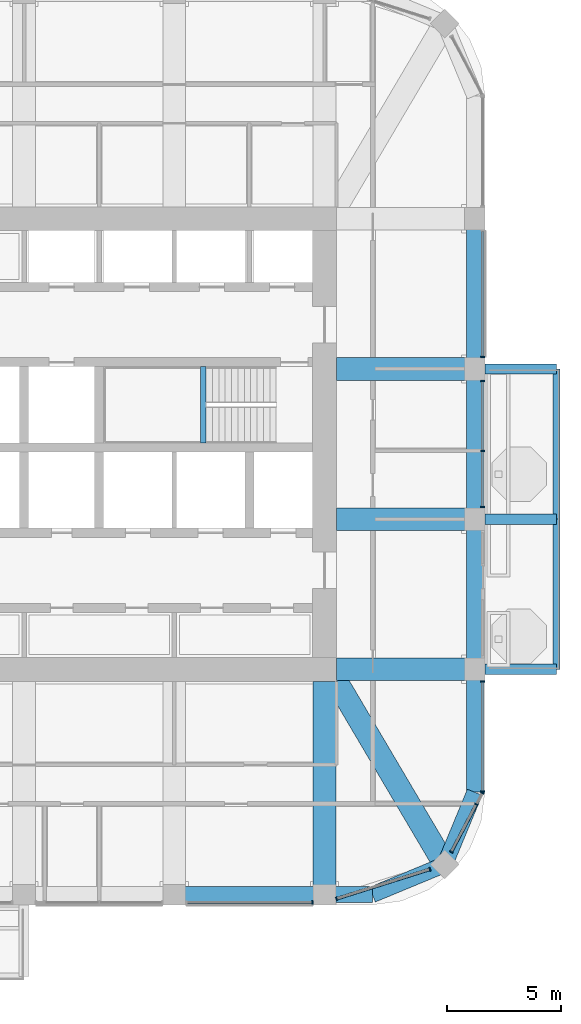
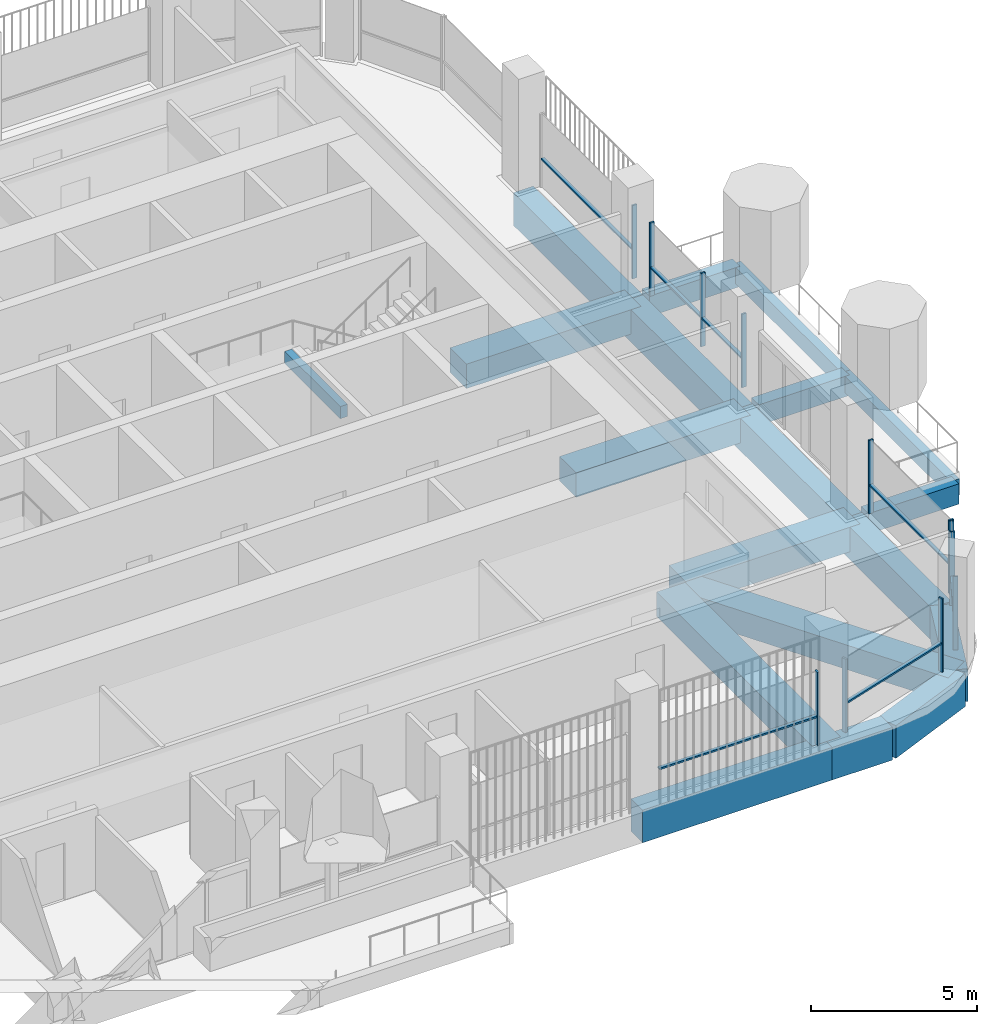
# One storey, part 4 of 19: 19 beams, 19 members, 6 elements without a shape of their own.
"""IFC4 building model written with IfcOpenShell, lengths in metres."""

from ifc_helpers import new_model, si_unit, direction, frame, origin, origin_2d, place, context, subcontext, project, spatial, rectangle, extrude, material, material_profile, profile_set, type_object, element, aggregate, save


model = new_model("IFC4")

# Units and contexts
model_context = context("Model", 3, precision=1e-05, world=origin(), true_north=direction((0.0, 1.0)))
body_context = subcontext(model_context, "Body", "Model", "MODEL_VIEW")
ifc_project = project(units=[si_unit("LENGTHUNIT", "METRE"), si_unit("AREAUNIT", "SQUARE_METRE"), si_unit("VOLUMEUNIT", "CUBIC_METRE"), si_unit("PLANEANGLEUNIT", "RADIAN"), si_unit("MASSUNIT", "GRAM", prefix="KILO")], contexts=[model_context])

# Site, building, storey
site_placement = place(None, origin())
site = spatial("IfcSite", under=ifc_project, at=site_placement, CompositionType="ELEMENT")
building_placement = place(site_placement, origin())
building = spatial("IfcBuilding", under=site, at=building_placement, Name="Cobogo Forest Laboratory Tower", CompositionType="ELEMENT")
storey_placement = place(building_placement, frame((0.0, 0.0, 262.800048828125)))
storey = spatial("IfcBuildingStorey", under=building, at=storey_placement, Name="L60", CompositionType="ELEMENT", Elevation=262.800048828125)

# Beams
ifc_material_1 = material(Name="Concrete HA-40 (C40/50)", Category="concrete")
ifc_material_profile_1 = material_profile(ifc_material_1, rectangle(XDim=0.449951171875, YDim=0.75, at=origin_2d()), Name="RC 450x750")
ifc_profile_set_1 = profile_set([ifc_material_profile_1], Name="Concrete HA-40 (C40/50)")
beam_type_1 = type_object("IfcBeamType", Name="Balcony cantilever beam 450x750", PredefinedType="BEAM", material=ifc_profile_set_1)
for number, where, z_axis, x_axis, name in (
    (1, (46.64990234375, 13.199951171875, -0.625), (1.0, 0.0, 0.0), (0.0, 1.0, 0.0), "CB1 BAL-E1-C1 L60"),
    (2, (46.64990234375, 19.800048828125, -0.625), (1.0, 0.0, 0.0), (0.0, 1.0, 0.0), "CB1 BAL-E1-C2 L60"),
    (3, (46.64990234375, 26.39990234375, -0.625), (1.0, 0.0, 0.0), (0.0, 1.0, 0.0), "CB1 BAL-E1-C3 L60"),
):
    element("IfcBeam", number, at=place(storey_placement, frame(where, z_axis=z_axis, x_axis=x_axis)), inside=storey, type_object=beam_type_1, Name=name, PredefinedType="BEAM", context=body_context, shape_type="SweptSolid", body=[
        extrude(rectangle(XDim=0.449951171875, YDim=0.75, at=origin_2d()), origin(), (0.0, 0.0, 1.0), 3.150146484375),
    ])
ifc_material_profile_2 = material_profile(ifc_material_1, rectangle(XDim=0.300048828125, YDim=0.60009765625, at=origin_2d()), Name="RC 300x600")
ifc_profile_set_2 = profile_set([ifc_material_profile_2], Name="Concrete HA-40 (C40/50)")
beam_type_2 = type_object("IfcBeamType", Name="Balcony edge beam 300x600", PredefinedType="BEAM", material=ifc_profile_set_2)
beam_1_placement = place(storey_placement, frame((49.800048828125, 13.199951171875, -0.550048828125), z_axis=(0.0, 1.0, 0.0), x_axis=(-1.0, 0.0, 0.0)))
element("IfcBeam", 4, at=beam_1_placement, inside=storey, type_object=beam_type_2, Name="BB1 BAL-E1-T1 L60", PredefinedType="BEAM", context=body_context, shape_type="SweptSolid", body=[
    extrude(rectangle(XDim=0.300048828125, YDim=0.60009765625, at=origin_2d()), origin(), (0.0, 0.0, 1.0), 6.60009765625),
])
beam_2_placement = place(storey_placement, frame((49.800048828125, 19.800048828125, -0.550048828125), z_axis=(0.0, 1.0, 0.0), x_axis=(-1.0, 0.0, 0.0)))
element("IfcBeam", 5, at=beam_2_placement, inside=storey, type_object=beam_type_2, Name="BB1 BAL-E1-T2 L60", PredefinedType="BEAM", context=body_context, shape_type="SweptSolid", body=[
    extrude(rectangle(XDim=0.300048828125, YDim=0.60009765625, at=origin_2d()), origin(), (0.0, 0.0, 1.0), 6.599853515625),
])
ifc_material_profile_3 = material_profile(ifc_material_1, rectangle(XDim=0.25, YDim=0.449951171875, at=origin_2d()), Name="RC 250x450")
ifc_profile_set_3 = profile_set([ifc_material_profile_3], Name="Concrete HA-40 (C40/50)")
beam_type_3 = type_object("IfcBeamType", Name="LB1 landing beam 250x450", PredefinedType="BEAM", material=ifc_profile_set_3)
beam_3_placement = place(storey_placement, frame((34.27001953125, 23.14990234375, 1.675048828125), z_axis=(0.0, 1.0, 0.0), x_axis=(-1.0, 0.0, 0.0)))
element("IfcBeam", 6, at=beam_3_placement, inside=storey, type_object=beam_type_3, Name="Landing beam ST2 L60", PredefinedType="BEAM", context=body_context, shape_type="SweptSolid", body=[
    extrude(rectangle(XDim=0.25, YDim=0.449951171875, at=origin_2d()), origin(), (0.0, 0.0, 1.0), 3.35009765625),
])

# Curtain wall, member
ifc_material_2 = material(Name="Aluminium curtain wall", Category="aluminium")
curtain_wall_type = type_object("IfcCurtainWallType", Name="CW-2 unitised curtain wall, solar control glazing, laboratory floors zones C and D", PredefinedType="USERDEFINED", material=ifc_material_2)
curtain_wall_1_placement = place(storey_placement, origin())
curtain_wall_1 = element("IfcCurtainWall", 7, at=curtain_wall_1_placement, inside=storey, type_object=curtain_wall_type, Name="Curtain wall 04 L60", ObjectType="UNITISED CURTAIN WALL", PredefinedType="USERDEFINED")
ifc_material_3 = material(Name="Aluminium mullion", Category="aluminium")
ifc_material_profile_4 = material_profile(ifc_material_3, rectangle(XDim=0.06005859375, YDim=0.159912109375, at=origin_2d()), Name="AL 60x160")
ifc_profile_set_4 = profile_set([ifc_material_profile_4], Name="Aluminium mullion")
member_type_1 = type_object("IfcMemberType", Name="MU-1 aluminium mullion 60x160", PredefinedType="MULLION", material=ifc_profile_set_4)
member_1_placement = place(storey_placement, frame((39.070068359375, 2.949951171875, 0.0), z_axis=(0.0, 0.0, 1.0), x_axis=(1.0, 0.0, 0.0)))
member_1 = element("IfcMember", 8, at=member_1_placement, type_object=member_type_1, Name="CW-2 mullion 2", PredefinedType="MULLION", context=body_context, shape_type="SweptSolid", body=[
    extrude(rectangle(XDim=0.06005859375, YDim=0.159912109375, at=origin_2d()), origin(), (0.0, 0.0, 1.0), 2.699951171875),
])

# Curtain wall, members
curtain_wall_2_placement = place(storey_placement, origin())
curtain_wall_2 = element("IfcCurtainWall", 9, at=curtain_wall_2_placement, inside=storey, type_object=curtain_wall_type, Name="Curtain wall 05 L60", ObjectType="UNITISED CURTAIN WALL", PredefinedType="USERDEFINED")
member_2_placement = place(storey_placement, frame((40.128662109375, 3.116943359375, 0.0), z_axis=(0.0, 0.0, 1.0), x_axis=(0.953581379409, 0.301135439371, 0.0)))
member_2 = element("IfcMember", 10, at=member_2_placement, type_object=member_type_1, Name="CW-2 mullion 1", PredefinedType="MULLION", context=body_context, shape_type="SweptSolid", body=[
    extrude(rectangle(XDim=0.06005859375, YDim=0.159912109375, at=origin_2d()), origin(), (0.0, 0.0, 1.0), 2.699951171875),
])
member_3_placement = place(storey_placement, frame((44.22998046875, 4.412109375, 0.0), z_axis=(0.0, 0.0, 1.0), x_axis=(0.953581379409, 0.301135439371, 0.0)))
member_3 = element("IfcMember", 11, at=member_3_placement, type_object=member_type_1, Name="CW-2 mullion 2", PredefinedType="MULLION", context=body_context, shape_type="SweptSolid", body=[
    extrude(rectangle(XDim=0.06005859375, YDim=0.159912109375, at=origin_2d()), origin(), (0.0, 0.0, 1.0), 2.699951171875),
])

curtain_wall_3_placement = place(storey_placement, origin())
curtain_wall_3 = element("IfcCurtainWall", 12, at=curtain_wall_3_placement, inside=storey, type_object=curtain_wall_type, Name="Curtain wall 06 L60", ObjectType="UNITISED CURTAIN WALL", PredefinedType="USERDEFINED")
member_4_placement = place(storey_placement, frame((45.177978515625, 5.1826171875, 0.0), z_axis=(0.0, 0.0, 1.0), x_axis=(0.464283778337, 0.885686498245, 0.0)))
member_4 = element("IfcMember", 13, at=member_4_placement, type_object=member_type_1, Name="CW-2 mullion 1", PredefinedType="MULLION", context=body_context, shape_type="SweptSolid", body=[
    extrude(rectangle(XDim=0.06005859375, YDim=0.159912109375, at=origin_2d()), origin(), (0.0, 0.0, 1.0), 2.699951171875),
])
member_5_placement = place(storey_placement, frame((46.268310546875, 7.262939453125, 0.0), z_axis=(0.0, 0.0, 1.0), x_axis=(0.464283778337, 0.885686498245, 0.0)))
member_5 = element("IfcMember", 14, at=member_5_placement, type_object=member_type_1, Name="CW-2 mullion 2", PredefinedType="MULLION", context=body_context, shape_type="SweptSolid", body=[
    extrude(rectangle(XDim=0.06005859375, YDim=0.159912109375, at=origin_2d()), origin(), (0.0, 0.0, 1.0), 2.699951171875),
])
member_6_placement = place(storey_placement, frame((46.5361328125, 7.7734375, 0.0), z_axis=(0.0, 0.0, 1.0), x_axis=(0.464283778337, 0.885686498245, 0.0)))
member_6 = element("IfcMember", 15, at=member_6_placement, type_object=member_type_1, Name="CW-2 mullion 3", PredefinedType="MULLION", context=body_context, shape_type="SweptSolid", body=[
    extrude(rectangle(XDim=0.06005859375, YDim=0.159912109375, at=origin_2d()), origin(), (0.0, 0.0, 1.0), 2.699951171875),
])

curtain_wall_4_placement = place(storey_placement, origin())
curtain_wall_4 = element("IfcCurtainWall", 16, at=curtain_wall_4_placement, inside=storey, type_object=curtain_wall_type, Name="Curtain wall 07 L60", ObjectType="UNITISED CURTAIN WALL", PredefinedType="USERDEFINED")
member_7_placement = place(storey_placement, frame((46.550048828125, 7.830078125, 0.0), z_axis=(0.0, 0.0, 1.0), x_axis=(0.0, 1.0, 0.0)))
member_7 = element("IfcMember", 17, at=member_7_placement, type_object=member_type_1, Name="CW-2 mullion 1", PredefinedType="MULLION", context=body_context, shape_type="SweptSolid", body=[
    extrude(rectangle(XDim=0.06005859375, YDim=0.159912109375, at=origin_2d()), origin(), (0.0, 0.0, 1.0), 2.699951171875),
])
member_8_placement = place(storey_placement, frame((46.550048828125, 12.669921875, 0.0), z_axis=(0.0, 0.0, 1.0), x_axis=(0.0, 1.0, 0.0)))
member_8 = element("IfcMember", 18, at=member_8_placement, type_object=member_type_1, Name="CW-2 mullion 2", PredefinedType="MULLION", context=body_context, shape_type="SweptSolid", body=[
    extrude(rectangle(XDim=0.06005859375, YDim=0.159912109375, at=origin_2d()), origin(), (0.0, 0.0, 1.0), 2.699951171875),
])

curtain_wall_5_placement = place(storey_placement, origin())
curtain_wall_5 = element("IfcCurtainWall", 19, at=curtain_wall_5_placement, inside=storey, type_object=curtain_wall_type, Name="Curtain wall 09 L60", ObjectType="UNITISED CURTAIN WALL", PredefinedType="USERDEFINED")
member_9_placement = place(storey_placement, frame((46.550048828125, 20.330078125, 0.0), z_axis=(0.0, 0.0, 1.0), x_axis=(0.0, 1.0, 0.0)))
member_9 = element("IfcMember", 20, at=member_9_placement, type_object=member_type_1, Name="CW-2 mullion 1", PredefinedType="MULLION", context=body_context, shape_type="SweptSolid", body=[
    extrude(rectangle(XDim=0.06005859375, YDim=0.159912109375, at=origin_2d()), origin(), (0.0, 0.0, 1.0), 2.699951171875),
])
member_10_placement = place(storey_placement, frame((46.550048828125, 22.800048828125, 0.0), z_axis=(0.0, 0.0, 1.0), x_axis=(0.0, 1.0, 0.0)))
member_10 = element("IfcMember", 21, at=member_10_placement, type_object=member_type_1, Name="CW-2 mullion 2", PredefinedType="MULLION", context=body_context, shape_type="SweptSolid", body=[
    extrude(rectangle(XDim=0.06005859375, YDim=0.159912109375, at=origin_2d()), origin(), (0.0, 0.0, 1.0), 2.699951171875),
])
member_11_placement = place(storey_placement, frame((46.550048828125, 25.8701171875, 0.0), z_axis=(0.0, 0.0, 1.0), x_axis=(0.0, 1.0, 0.0)))
member_11 = element("IfcMember", 22, at=member_11_placement, type_object=member_type_1, Name="CW-2 mullion 3", PredefinedType="MULLION", context=body_context, shape_type="SweptSolid", body=[
    extrude(rectangle(XDim=0.06005859375, YDim=0.159912109375, at=origin_2d()), origin(), (0.0, 0.0, 1.0), 2.699951171875),
])

# Curtain wall, member
curtain_wall_6_placement = place(storey_placement, origin())
curtain_wall_6 = element("IfcCurtainWall", 23, at=curtain_wall_6_placement, inside=storey, type_object=curtain_wall_type, Name="Curtain wall 10 L60", ObjectType="UNITISED CURTAIN WALL", PredefinedType="USERDEFINED")
member_12_placement = place(storey_placement, frame((46.550048828125, 26.929931640625, 0.0), z_axis=(0.0, 0.0, 1.0), x_axis=(0.0, 1.0, 0.0)))
member_12 = element("IfcMember", 24, at=member_12_placement, type_object=member_type_1, Name="CW-2 mullion 1", PredefinedType="MULLION", context=body_context, shape_type="SweptSolid", body=[
    extrude(rectangle(XDim=0.06005859375, YDim=0.159912109375, at=origin_2d()), origin(), (0.0, 0.0, 1.0), 2.699951171875),
])

# Beams
ifc_material_profile_5 = material_profile(ifc_material_1, rectangle(XDim=1.0, YDim=0.89990234375, at=origin_2d()), Name="RC 1000x900")
ifc_profile_set_5 = profile_set([ifc_material_profile_5], Name="Concrete HA-40 (C40/50)")
beam_type_4 = type_object("IfcBeamType", Name="Office floor wide beam 1000x900", PredefinedType="BEAM", material=ifc_profile_set_5)
beam_4_placement = place(storey_placement, frame((39.60009765625, 12.675048828125, -0.75), z_axis=(0.0, -1.0, 0.0), x_axis=(1.0, 0.0, 0.0)))
element("IfcBeam", 25, at=beam_4_placement, inside=storey, type_object=beam_type_4, Name="RB2 R-7-S L60", PredefinedType="BEAM", context=body_context, shape_type="SweptSolid", body=[
    extrude(rectangle(XDim=1.0, YDim=0.89990234375, at=origin_2d()), origin(), (0.0, 0.0, 1.0), 9.375),
])
for number, where, z_axis, x_axis, name in (
    (26, (40.125, 13.199951171875, -0.75), (1.0, 0.0, 0.0), (0.0, 1.0, 0.0), "RB2 R-C-E L60"),
    (27, (40.125, 19.800048828125, -0.75), (1.0, 0.0, 0.0), (0.0, 1.0, 0.0), "RB2 R-D-E L60"),
    (28, (40.125, 26.39990234375, -0.75), (1.0, 0.0, 0.0), (0.0, 1.0, 0.0), "RB2 R-E-E L60"),
):
    element("IfcBeam", number, at=place(storey_placement, frame(where, z_axis=z_axis, x_axis=x_axis)), inside=storey, type_object=beam_type_4, Name=name, PredefinedType="BEAM", context=body_context, shape_type="SweptSolid", body=[
        extrude(rectangle(XDim=1.0, YDim=0.89990234375, at=origin_2d()), origin(), (0.0, 0.0, 1.0), 6.074951171875),
    ])
beam_5_placement = place(storey_placement, frame((44.882080078125, 4.617919921875, -0.75), z_axis=(-0.508416325908, 0.861111397875, 0.0), x_axis=(-0.861111397875, -0.508416325908, 0.0)))
element("IfcBeam", 29, at=beam_5_placement, inside=storey, type_object=beam_type_4, Name="RB2 G-SE-D1 L60", PredefinedType="BEAM", context=body_context, shape_type="SweptSolid", body=[
    extrude(rectangle(XDim=1.0, YDim=0.89990234375, at=origin_2d()), origin(), (0.0, 0.0, 1.0), 9.356689453125),
])
ifc_material_profile_6 = material_profile(ifc_material_1, rectangle(XDim=0.699951171875, YDim=1.199951171875, at=origin_2d()), Name="RC 700x1200")
ifc_profile_set_6 = profile_set([ifc_material_profile_6], Name="Concrete HA-40 (C40/50)")
beam_type_5 = type_object("IfcBeamType", Name="Perimeter edge beam 700x1200", PredefinedType="BEAM", material=ifc_profile_set_6)
for number, where, z_axis, x_axis, name in (
    (30, (33.0, 3.300048828125, -0.900146484375), (1.0, 0.0, 0.0), (0.0, 1.0, 0.0), "EB1 E-S4 L60"),
    (31, (46.199951171875, 13.199951171875, -0.900146484375), (0.0, 1.0, 0.0), (-1.0, 0.0, 0.0), "EB1 E-E1 L60"),
):
    element("IfcBeam", number, at=place(storey_placement, frame(where, z_axis=z_axis, x_axis=x_axis)), inside=storey, type_object=beam_type_5, Name=name, PredefinedType="BEAM", context=body_context, shape_type="SweptSolid", body=[
        extrude(rectangle(XDim=0.699951171875, YDim=1.199951171875, at=origin_2d()), origin(), (0.0, 0.0, 1.0), 6.60009765625),
    ])
beam_6_placement = place(storey_placement, frame((46.199951171875, 19.800048828125, -0.900146484375), z_axis=(0.0, 1.0, 0.0), x_axis=(-1.0, 0.0, 0.0)))
element("IfcBeam", 32, at=beam_6_placement, inside=storey, type_object=beam_type_5, Name="EB1 E-E2 L60", PredefinedType="BEAM", context=body_context, shape_type="SweptSolid", body=[
    extrude(rectangle(XDim=0.699951171875, YDim=1.199951171875, at=origin_2d()), origin(), (0.0, 0.0, 1.0), 6.599853515625),
])
beam_7_placement = place(storey_placement, frame((46.199951171875, 26.39990234375, -0.900146484375), z_axis=(0.0, 1.0, 0.0), x_axis=(-1.0, 0.0, 0.0)))
element("IfcBeam", 33, at=beam_7_placement, inside=storey, type_object=beam_type_5, Name="EB1 E-E3 L60", PredefinedType="BEAM", context=body_context, shape_type="SweptSolid", body=[
    extrude(rectangle(XDim=0.699951171875, YDim=1.199951171875, at=origin_2d()), origin(), (0.0, 0.0, 1.0), 6.60009765625),
])
beam_8_placement = place(storey_placement, frame((39.60009765625, 3.300048828125, -0.900146484375), z_axis=(1.0, 0.0, 0.0), x_axis=(0.0, 1.0, 0.0)))
element("IfcBeam", 34, at=beam_8_placement, inside=storey, type_object=beam_type_5, Name="EB1 E-SES1 L60", PredefinedType="BEAM", context=body_context, shape_type="SweptSolid", body=[
    extrude(rectangle(XDim=0.699951171875, YDim=1.199951171875, at=origin_2d()), origin(), (0.0, 0.0, 1.0), 2.099853515625),
])
beam_9_placement = place(storey_placement, frame((41.699951171875, 3.300048828125, -0.900146484375), z_axis=(0.923901072997, 0.382631424892, 0.0), x_axis=(-0.382631424892, 0.923901072997, 0.0)))
element("IfcBeam", 35, at=beam_9_placement, inside=storey, type_object=beam_type_5, Name="EB1 E-SES2 L60", PredefinedType="BEAM", context=body_context, shape_type="SweptSolid", body=[
    extrude(rectangle(XDim=0.699951171875, YDim=1.199951171875, at=origin_2d()), origin(), (0.0, 0.0, 1.0), 3.4443359375),
])
beam_10_placement = place(storey_placement, frame((46.199951171875, 13.199951171875, -0.900146484375), z_axis=(0.0, -1.0, 0.0), x_axis=(1.0, 0.0, 0.0)))
element("IfcBeam", 36, at=beam_10_placement, inside=storey, type_object=beam_type_5, Name="EB1 E-SEE1 L60", PredefinedType="BEAM", context=body_context, shape_type="SweptSolid", body=[
    extrude(rectangle(XDim=0.699951171875, YDim=1.199951171875, at=origin_2d()), origin(), (0.0, 0.0, 1.0), 5.39990234375),
])
beam_11_placement = place(storey_placement, frame((46.199951171875, 7.800048828125, -0.900146484375), z_axis=(-0.382631424892, -0.923901072997, 0.0), x_axis=(0.923901072997, -0.382631424892, 0.0)))
element("IfcBeam", 37, at=beam_11_placement, inside=storey, type_object=beam_type_5, Name="EB1 E-SEE2 L60", PredefinedType="BEAM", context=body_context, shape_type="SweptSolid", body=[
    extrude(rectangle(XDim=0.699951171875, YDim=1.199951171875, at=origin_2d()), origin(), (0.0, 0.0, 1.0), 3.4443359375),
])

# Member
ifc_material_4 = material(Name="Aluminium transom", Category="aluminium")
ifc_material_profile_7 = material_profile(ifc_material_4, rectangle(XDim=0.1201171875, YDim=0.06005859375, at=origin_2d()), Name="AL 60x120")
ifc_profile_set_7 = profile_set([ifc_material_profile_7], Name="Aluminium transom")
member_type_2 = type_object("IfcMemberType", Name="TR-1 aluminium transom 60x120", PredefinedType="USERDEFINED", material=ifc_profile_set_7)
member_13_placement = place(storey_placement, frame((33.56005859375, 2.949951171875, 1.050048828125), z_axis=(1.0, 0.0, 0.0), x_axis=(0.0, 1.0, 0.0)))
member_13 = element("IfcMember", 38, at=member_13_placement, type_object=member_type_2, Name="CW-2 transom 1.1", ObjectType="TRANSOM", PredefinedType="USERDEFINED", context=body_context, shape_type="SweptSolid", body=[
    extrude(rectangle(XDim=0.1201171875, YDim=0.06005859375, at=origin_2d()), origin(), (0.0, 0.0, 1.0), 5.47998046875),
])

aggregate(curtain_wall_1, [member_1, member_13])

member_14_placement = place(storey_placement, frame((40.1572265625, 3.1259765625, 1.050048828125), z_axis=(0.953583535148, 0.30112861288, 0.0), x_axis=(-0.30112861288, 0.953583535148, 0.0)))
member_14 = element("IfcMember", 39, at=member_14_placement, type_object=member_type_2, Name="CW-2 transom 1.1", ObjectType="TRANSOM", PredefinedType="USERDEFINED", context=body_context, shape_type="SweptSolid", body=[
    extrude(rectangle(XDim=0.1201171875, YDim=0.06005859375, at=origin_2d()), origin(), (0.0, 0.0, 1.0), 4.240966796875),
])

aggregate(curtain_wall_2, [member_2, member_3, member_14])

member_15_placement = place(storey_placement, frame((45.19189453125, 5.209228515625, 1.050048828125), z_axis=(0.46424215306, 0.885708317293, 0.0), x_axis=(-0.885708317293, 0.46424215306, 0.0)))
member_15 = element("IfcMember", 40, at=member_15_placement, type_object=member_type_2, Name="CW-2 transom 1.1", ObjectType="TRANSOM", PredefinedType="USERDEFINED", context=body_context, shape_type="SweptSolid", body=[
    extrude(rectangle(XDim=0.1201171875, YDim=0.06005859375, at=origin_2d()), origin(), (0.0, 0.0, 1.0), 2.28857421875),
])

aggregate(curtain_wall_3, [member_4, member_5, member_6, member_15])

member_16_placement = place(storey_placement, frame((46.550048828125, 7.860107421875, 1.050048828125), z_axis=(0.0, 1.0, 0.0), x_axis=(-1.0, 0.0, 0.0)))
member_16 = element("IfcMember", 41, at=member_16_placement, type_object=member_type_2, Name="CW-2 transom 1.1", ObjectType="TRANSOM", PredefinedType="USERDEFINED", context=body_context, shape_type="SweptSolid", body=[
    extrude(rectangle(XDim=0.1201171875, YDim=0.06005859375, at=origin_2d()), origin(), (0.0, 0.0, 1.0), 4.77978515625),
])

aggregate(curtain_wall_4, [member_7, member_8, member_16])

member_17_placement = place(storey_placement, frame((46.550048828125, 20.360107421875, 1.050048828125), z_axis=(0.0, 1.0, 0.0), x_axis=(-1.0, 0.0, 0.0)))
member_17 = element("IfcMember", 42, at=member_17_placement, type_object=member_type_2, Name="CW-2 transom 1.1", ObjectType="TRANSOM", PredefinedType="USERDEFINED", context=body_context, shape_type="SweptSolid", body=[
    extrude(rectangle(XDim=0.1201171875, YDim=0.06005859375, at=origin_2d()), origin(), (0.0, 0.0, 1.0), 2.409912109375),
])

member_18_placement = place(storey_placement, frame((46.550048828125, 22.830078125, 1.050048828125), z_axis=(0.0, 1.0, 0.0), x_axis=(-1.0, 0.0, 0.0)))
member_18 = element("IfcMember", 43, at=member_18_placement, type_object=member_type_2, Name="CW-2 transom 2.1", ObjectType="TRANSOM", PredefinedType="USERDEFINED", context=body_context, shape_type="SweptSolid", body=[
    extrude(rectangle(XDim=0.1201171875, YDim=0.06005859375, at=origin_2d()), origin(), (0.0, 0.0, 1.0), 3.010009765625),
])

aggregate(curtain_wall_5, [member_9, member_10, member_11, member_17, member_18])

member_19_placement = place(storey_placement, frame((46.550048828125, 26.9599609375, 1.050048828125), z_axis=(0.0, 1.0, 0.0), x_axis=(-1.0, 0.0, 0.0)))
member_19 = element("IfcMember", 44, at=member_19_placement, type_object=member_type_2, Name="CW-2 transom 1.1", ObjectType="TRANSOM", PredefinedType="USERDEFINED", context=body_context, shape_type="SweptSolid", body=[
    extrude(rectangle(XDim=0.1201171875, YDim=0.06005859375, at=origin_2d()), origin(), (0.0, 0.0, 1.0), 5.47998046875),
])

aggregate(curtain_wall_6, [member_12, member_19])

save(model, "model.ifc")
